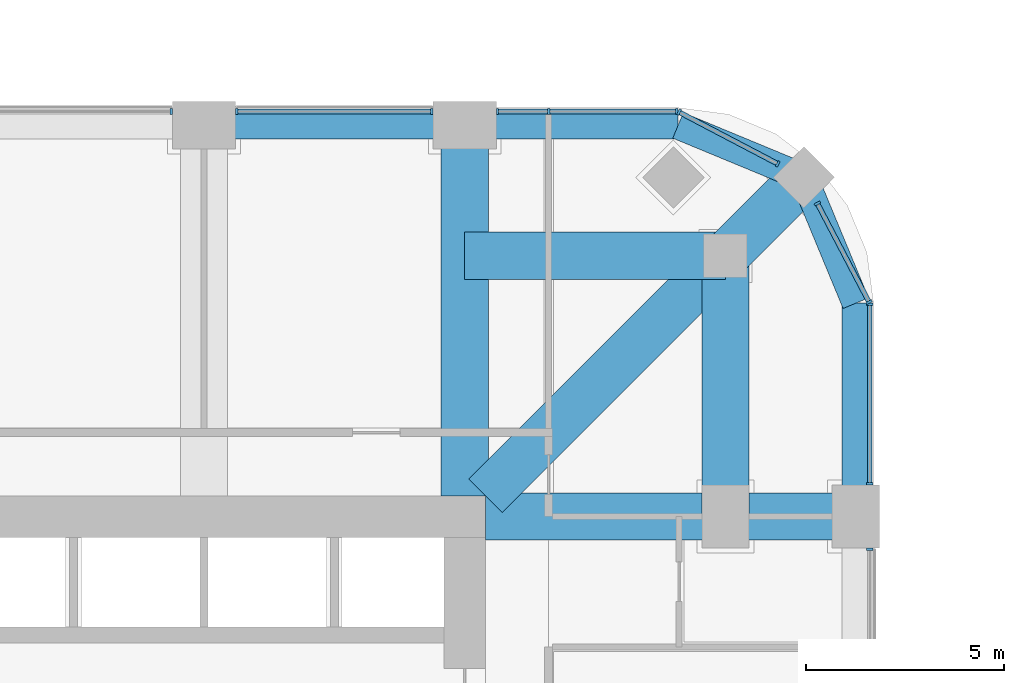
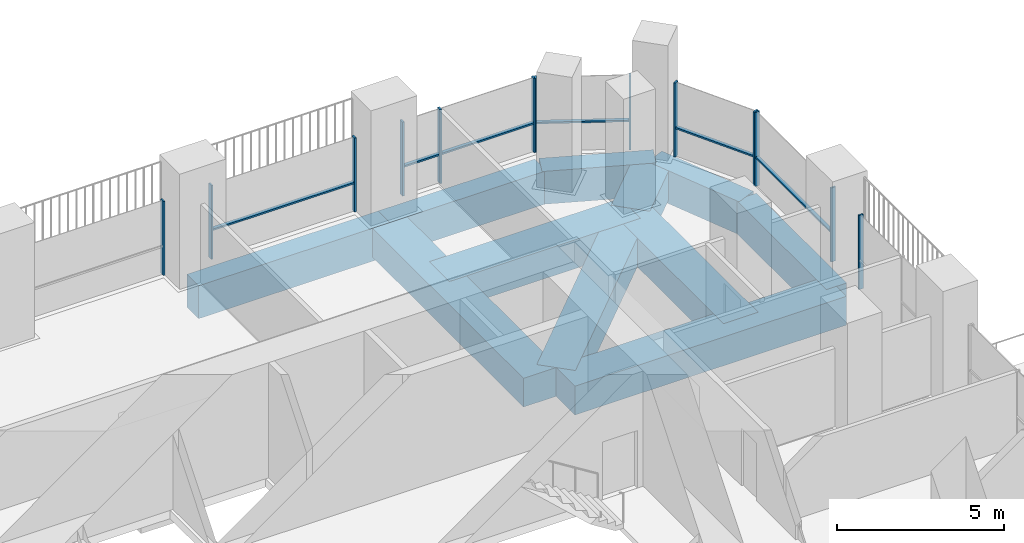
# One storey, part 7 of 20: 19 members, 11 beams, 7 elements without a shape of their own.
"""IFC4 building model written with IfcOpenShell, lengths in metres."""

from ifc_helpers import new_model, si_unit, direction, frame, origin, origin_2d, place, context, subcontext, project, spatial, rectangle, extrude, material, material_profile, profile_set, type_object, element, aggregate, save


model = new_model("IFC4")

# Units and contexts
model_context = context("Model", 3, precision=1e-05, world=origin(), true_north=direction((0.0, 1.0)))
body_context = subcontext(model_context, "Body", "Model", "MODEL_VIEW")
ifc_project = project(units=[si_unit("LENGTHUNIT", "METRE"), si_unit("AREAUNIT", "SQUARE_METRE"), si_unit("VOLUMEUNIT", "CUBIC_METRE"), si_unit("PLANEANGLEUNIT", "RADIAN"), si_unit("MASSUNIT", "GRAM", prefix="KILO")], contexts=[model_context])

# Site, building, storey
site_placement = place(None, origin())
site = spatial("IfcSite", under=ifc_project, at=site_placement, CompositionType="ELEMENT")
building_placement = place(site_placement, origin())
building = spatial("IfcBuilding", under=site, at=building_placement, Name="Cobogo Forest Laboratory Tower", CompositionType="ELEMENT")
storey_placement = place(building_placement, frame((0.0, 0.0, 193.5)))
storey = spatial("IfcBuildingStorey", under=building, at=storey_placement, Name="L44", CompositionType="ELEMENT", Elevation=193.5)

# Beams
ifc_material_1 = material(Name="Concrete HA-40 (C40/50)", Category="concrete")
ifc_material_profile_1 = material_profile(ifc_material_1, rectangle(XDim=1.199951171875, YDim=1.050048828125, at=origin_2d()), Name="RC 1200x1050")
ifc_profile_set_1 = profile_set([ifc_material_profile_1], Name="Concrete HA-40 (C40/50)")
beam_type_1 = type_object("IfcBeamType", Name="Laboratory floor wide beam 1200x1050", PredefinedType="BEAM", material=ifc_profile_set_1)
for number, where, z_axis, x_axis, name in (
    (1, (39.60009765625, 33.52490234375, -0.824951171875), (0.0, 1.0, 0.0), (-1.0, 0.0, 0.0), "RB1 R-7-N L44"),
    (2, (40.125, 33.0, -0.824951171875), (1.0, 0.0, 0.0), (0.0, 1.0, 0.0), "RB1 R-F-E L44"),
):
    element("IfcBeam", number, at=place(storey_placement, frame(where, z_axis=z_axis, x_axis=x_axis)), inside=storey, type_object=beam_type_1, Name=name, PredefinedType="BEAM", context=body_context, shape_type="SweptSolid", body=[
        extrude(rectangle(XDim=1.199951171875, YDim=1.050048828125, at=origin_2d()), origin(), (0.0, 0.0, 1.0), 9.375),
    ])
beam_1_placement = place(storey_placement, frame((46.199951171875, 39.60009765625, -0.824951171875), z_axis=(0.0, -1.0, 0.0), x_axis=(1.0, 0.0, 0.0)))
element("IfcBeam", 3, at=beam_1_placement, inside=storey, type_object=beam_type_1, Name="RB1 G-NE-XC L44", PredefinedType="BEAM", context=body_context, shape_type="SweptSolid", body=[
    extrude(rectangle(XDim=1.199951171875, YDim=1.050048828125, at=origin_2d()), origin(), (0.0, 0.0, 1.0), 6.60009765625),
])
beam_2_placement = place(storey_placement, frame((46.199951171875, 39.60009765625, -0.824951171875), z_axis=(-1.0, 0.0, 0.0), x_axis=(0.0, -1.0, 0.0)))
element("IfcBeam", 4, at=beam_2_placement, inside=storey, type_object=beam_type_1, Name="RB1 G-NE-YC L44", PredefinedType="BEAM", context=body_context, shape_type="SweptSolid", body=[
    extrude(rectangle(XDim=1.199951171875, YDim=1.050048828125, at=origin_2d()), origin(), (0.0, 0.0, 1.0), 6.599853515625),
])
beam_3_placement = place(storey_placement, frame((48.181884765625, 41.58203125, -0.824951171875), z_axis=(-0.707106781187, -0.707106781187, 0.0), x_axis=(0.707106781187, -0.707106781187, 0.0)))
element("IfcBeam", 5, at=beam_3_placement, inside=storey, type_object=beam_type_1, Name="RB1 G-NE-D1 L44", PredefinedType="BEAM", context=body_context, shape_type="SweptSolid", body=[
    extrude(rectangle(XDim=1.199951171875, YDim=1.050048828125, at=origin_2d()), origin(), (0.0, 0.0, 1.0), 2.802978515625),
])
beam_4_placement = place(storey_placement, frame((46.199951171875, 39.60009765625, -0.824951171875), z_axis=(-0.707092572697, -0.70712098939, 0.0), x_axis=(0.70712098939, -0.707092572697, 0.0)))
element("IfcBeam", 6, at=beam_4_placement, inside=storey, type_object=beam_type_1, Name="RB1 G-NE-D2 L44", PredefinedType="BEAM", context=body_context, shape_type="SweptSolid", body=[
    extrude(rectangle(XDim=1.199951171875, YDim=1.050048828125, at=origin_2d()), origin(), (0.0, 0.0, 1.0), 8.591552734375),
])

# Curtain wall, member
ifc_material_2 = material(Name="Aluminium curtain wall", Category="aluminium")
curtain_wall_type = type_object("IfcCurtainWallType", Name="CW-2 unitised curtain wall, solar control glazing, laboratory floors zones C and D", PredefinedType="USERDEFINED", material=ifc_material_2)
curtain_wall_1_placement = place(storey_placement, origin())
curtain_wall_1 = element("IfcCurtainWall", 7, at=curtain_wall_1_placement, inside=storey, type_object=curtain_wall_type, Name="Curtain wall 12 L44", ObjectType="UNITISED CURTAIN WALL", PredefinedType="USERDEFINED")
ifc_material_3 = material(Name="Aluminium mullion", Category="aluminium")
ifc_material_profile_2 = material_profile(ifc_material_3, rectangle(XDim=0.06005859375, YDim=0.159912109375, at=origin_2d()), Name="AL 60x160")
ifc_profile_set_2 = profile_set([ifc_material_profile_2], Name="Aluminium mullion")
member_type_1 = type_object("IfcMemberType", Name="MU-1 aluminium mullion 60x160", PredefinedType="MULLION", material=ifc_profile_set_2)
member_1_placement = place(storey_placement, frame((49.85009765625, 32.169921875, 0.0), z_axis=(0.0, 0.0, 1.0), x_axis=(0.0, 1.0, 0.0)))
member_1 = element("IfcMember", 8, at=member_1_placement, type_object=member_type_1, Name="CW-2 mullion 3", PredefinedType="MULLION", context=body_context, shape_type="SweptSolid", body=[
    extrude(rectangle(XDim=0.06005859375, YDim=0.159912109375, at=origin_2d()), origin(), (0.0, 0.0, 1.0), 2.699951171875),
])
aggregate(curtain_wall_1, [member_1])

# Curtain wall, members
curtain_wall_2_placement = place(storey_placement, origin())
curtain_wall_2 = element("IfcCurtainWall", 9, at=curtain_wall_2_placement, inside=storey, type_object=curtain_wall_type, Name="Curtain wall 13 L44", ObjectType="UNITISED CURTAIN WALL", PredefinedType="USERDEFINED")
member_2_placement = place(storey_placement, frame((49.85009765625, 33.830078125, 0.0), z_axis=(0.0, 0.0, 1.0), x_axis=(0.0, 1.0, 0.0)))
member_2 = element("IfcMember", 10, at=member_2_placement, type_object=member_type_1, Name="CW-2 mullion 1", PredefinedType="MULLION", context=body_context, shape_type="SweptSolid", body=[
    extrude(rectangle(XDim=0.06005859375, YDim=0.159912109375, at=origin_2d()), origin(), (0.0, 0.0, 1.0), 2.699951171875),
])
member_3_placement = place(storey_placement, frame((49.85009765625, 38.3701171875, 0.0), z_axis=(0.0, 0.0, 1.0), x_axis=(0.0, 1.0, 0.0)))
member_3 = element("IfcMember", 11, at=member_3_placement, type_object=member_type_1, Name="CW-2 mullion 2", PredefinedType="MULLION", context=body_context, shape_type="SweptSolid", body=[
    extrude(rectangle(XDim=0.06005859375, YDim=0.159912109375, at=origin_2d()), origin(), (0.0, 0.0, 1.0), 2.699951171875),
])

curtain_wall_3_placement = place(storey_placement, origin())
curtain_wall_3 = element("IfcCurtainWall", 12, at=curtain_wall_3_placement, inside=storey, type_object=curtain_wall_type, Name="Curtain wall 14 L44", ObjectType="UNITISED CURTAIN WALL", PredefinedType="USERDEFINED")
member_4_placement = place(storey_placement, frame((49.836181640625, 38.426513671875, 0.0), z_axis=(0.0, 0.0, 1.0), x_axis=(-0.464283804832, 0.885686484356, 0.0)))
member_4 = element("IfcMember", 13, at=member_4_placement, type_object=member_type_1, Name="CW-2 mullion 1", PredefinedType="MULLION", context=body_context, shape_type="SweptSolid", body=[
    extrude(rectangle(XDim=0.06005859375, YDim=0.159912109375, at=origin_2d()), origin(), (0.0, 0.0, 1.0), 2.699951171875),
])
member_5_placement = place(storey_placement, frame((48.526611328125, 40.924560546875, 0.0), z_axis=(0.0, 0.0, 1.0), x_axis=(-0.464283804832, 0.885686484356, 0.0)))
member_5 = element("IfcMember", 14, at=member_5_placement, type_object=member_type_1, Name="CW-2 mullion 2", PredefinedType="MULLION", context=body_context, shape_type="SweptSolid", body=[
    extrude(rectangle(XDim=0.06005859375, YDim=0.159912109375, at=origin_2d()), origin(), (0.0, 0.0, 1.0), 2.699951171875),
])

curtain_wall_4_placement = place(storey_placement, origin())
curtain_wall_4 = element("IfcCurtainWall", 15, at=curtain_wall_4_placement, inside=storey, type_object=curtain_wall_type, Name="Curtain wall 15 L44", ObjectType="UNITISED CURTAIN WALL", PredefinedType="USERDEFINED")
member_6_placement = place(storey_placement, frame((47.5244140625, 41.9267578125, 0.0), z_axis=(0.0, 0.0, 1.0), x_axis=(-0.885686484356, 0.464283804832, 0.0)))
member_6 = element("IfcMember", 16, at=member_6_placement, type_object=member_type_1, Name="CW-2 mullion 1", PredefinedType="MULLION", context=body_context, shape_type="SweptSolid", body=[
    extrude(rectangle(XDim=0.06005859375, YDim=0.159912109375, at=origin_2d()), origin(), (0.0, 0.0, 1.0), 2.699951171875),
])
member_7_placement = place(storey_placement, frame((45.026611328125, 43.236083984375, 0.0), z_axis=(0.0, 0.0, 1.0), x_axis=(-0.885686484356, 0.464283804832, 0.0)))
member_7 = element("IfcMember", 17, at=member_7_placement, type_object=member_type_1, Name="CW-2 mullion 2", PredefinedType="MULLION", context=body_context, shape_type="SweptSolid", body=[
    extrude(rectangle(XDim=0.06005859375, YDim=0.159912109375, at=origin_2d()), origin(), (0.0, 0.0, 1.0), 2.699951171875),
])

curtain_wall_5_placement = place(storey_placement, origin())
curtain_wall_5 = element("IfcCurtainWall", 18, at=curtain_wall_5_placement, inside=storey, type_object=curtain_wall_type, Name="Curtain wall 16 L44", ObjectType="UNITISED CURTAIN WALL", PredefinedType="USERDEFINED")
member_8_placement = place(storey_placement, frame((44.969970703125, 43.25, 0.0), z_axis=(0.0, 0.0, 1.0), x_axis=(-1.0, 0.0, 0.0)))
member_8 = element("IfcMember", 19, at=member_8_placement, type_object=member_type_1, Name="CW-2 mullion 1", PredefinedType="MULLION", context=body_context, shape_type="SweptSolid", body=[
    extrude(rectangle(XDim=0.06005859375, YDim=0.159912109375, at=origin_2d()), origin(), (0.0, 0.0, 1.0), 2.699951171875),
])
member_9_placement = place(storey_placement, frame((41.72509765625, 43.25, 0.0), z_axis=(0.0, 0.0, 1.0), x_axis=(-1.0, 0.0, 0.0)))
member_9 = element("IfcMember", 20, at=member_9_placement, type_object=member_type_1, Name="CW-2 mullion 2", PredefinedType="MULLION", context=body_context, shape_type="SweptSolid", body=[
    extrude(rectangle(XDim=0.06005859375, YDim=0.159912109375, at=origin_2d()), origin(), (0.0, 0.0, 1.0), 2.699951171875),
])
member_10_placement = place(storey_placement, frame((40.429931640625, 43.25, 0.0), z_axis=(0.0, 0.0, 1.0), x_axis=(-1.0, 0.0, 0.0)))
member_10 = element("IfcMember", 21, at=member_10_placement, type_object=member_type_1, Name="CW-2 mullion 3", PredefinedType="MULLION", context=body_context, shape_type="SweptSolid", body=[
    extrude(rectangle(XDim=0.06005859375, YDim=0.159912109375, at=origin_2d()), origin(), (0.0, 0.0, 1.0), 2.699951171875),
])

curtain_wall_6_placement = place(storey_placement, origin())
curtain_wall_6 = element("IfcCurtainWall", 22, at=curtain_wall_6_placement, inside=storey, type_object=curtain_wall_type, Name="Curtain wall 17 L44", ObjectType="UNITISED CURTAIN WALL", PredefinedType="USERDEFINED")
member_11_placement = place(storey_placement, frame((38.77001953125, 43.25, 0.0), z_axis=(0.0, 0.0, 1.0), x_axis=(-1.0, 0.0, 0.0)))
member_11 = element("IfcMember", 23, at=member_11_placement, type_object=member_type_1, Name="CW-2 mullion 1", PredefinedType="MULLION", context=body_context, shape_type="SweptSolid", body=[
    extrude(rectangle(XDim=0.06005859375, YDim=0.159912109375, at=origin_2d()), origin(), (0.0, 0.0, 1.0), 2.699951171875),
])
member_12_placement = place(storey_placement, frame((33.830078125, 43.25, 0.0), z_axis=(0.0, 0.0, 1.0), x_axis=(-1.0, 0.0, 0.0)))
member_12 = element("IfcMember", 24, at=member_12_placement, type_object=member_type_1, Name="CW-2 mullion 2", PredefinedType="MULLION", context=body_context, shape_type="SweptSolid", body=[
    extrude(rectangle(XDim=0.06005859375, YDim=0.159912109375, at=origin_2d()), origin(), (0.0, 0.0, 1.0), 2.699951171875),
])

# Curtain wall, member
curtain_wall_7_placement = place(storey_placement, origin())
curtain_wall_7 = element("IfcCurtainWall", 25, at=curtain_wall_7_placement, inside=storey, type_object=curtain_wall_type, Name="Curtain wall 18 L44", ObjectType="UNITISED CURTAIN WALL", PredefinedType="USERDEFINED")
member_13_placement = place(storey_placement, frame((32.169921875, 43.25, 0.0), z_axis=(0.0, 0.0, 1.0), x_axis=(-1.0, 0.0, 0.0)))
member_13 = element("IfcMember", 26, at=member_13_placement, type_object=member_type_1, Name="CW-2 mullion 1", PredefinedType="MULLION", context=body_context, shape_type="SweptSolid", body=[
    extrude(rectangle(XDim=0.06005859375, YDim=0.159912109375, at=origin_2d()), origin(), (0.0, 0.0, 1.0), 2.699951171875),
])
aggregate(curtain_wall_7, [member_13])

# Beams
ifc_material_profile_3 = material_profile(ifc_material_1, rectangle(XDim=0.699951171875, YDim=1.199951171875, at=origin_2d()), Name="RC 700x1200")
ifc_profile_set_3 = profile_set([ifc_material_profile_3], Name="Concrete HA-40 (C40/50)")
beam_type_2 = type_object("IfcBeamType", Name="Perimeter edge beam 700x1200", PredefinedType="BEAM", material=ifc_profile_set_3)
beam_5_placement = place(storey_placement, frame((33.0, 42.89990234375, -0.89990234375), z_axis=(1.0, 0.0, 0.0), x_axis=(0.0, 1.0, 0.0)))
element("IfcBeam", 27, at=beam_5_placement, inside=storey, type_object=beam_type_2, Name="EB1 E-N4 L44", PredefinedType="BEAM", context=body_context, shape_type="SweptSolid", body=[
    extrude(rectangle(XDim=0.699951171875, YDim=1.199951171875, at=origin_2d()), origin(), (0.0, 0.0, 1.0), 6.60009765625),
])
beam_6_placement = place(storey_placement, frame((49.5, 33.0, -0.89990234375), z_axis=(0.0, 1.0, 0.0), x_axis=(-1.0, 0.0, 0.0)))
element("IfcBeam", 28, at=beam_6_placement, inside=storey, type_object=beam_type_2, Name="EB1 E-NEE1 L44", PredefinedType="BEAM", context=body_context, shape_type="SweptSolid", body=[
    extrude(rectangle(XDim=0.699951171875, YDim=1.199951171875, at=origin_2d()), origin(), (0.0, 0.0, 1.0), 5.39990234375),
])
beam_7_placement = place(storey_placement, frame((49.5, 38.39990234375, -0.89990234375), z_axis=(-0.382691928466, 0.923876013265, 0.0), x_axis=(-0.923876013265, -0.382691928466, 0.0)))
element("IfcBeam", 29, at=beam_7_placement, inside=storey, type_object=beam_type_2, Name="EB1 E-NEE2 L44", PredefinedType="BEAM", context=body_context, shape_type="SweptSolid", body=[
    extrude(rectangle(XDim=0.699951171875, YDim=1.199951171875, at=origin_2d()), origin(), (0.0, 0.0, 1.0), 3.4443359375),
])
beam_8_placement = place(storey_placement, frame((39.60009765625, 42.89990234375, -0.89990234375), z_axis=(1.0, 0.0, 0.0), x_axis=(0.0, 1.0, 0.0)))
element("IfcBeam", 30, at=beam_8_placement, inside=storey, type_object=beam_type_2, Name="EB1 E-NEN1 L44", PredefinedType="BEAM", context=body_context, shape_type="SweptSolid", body=[
    extrude(rectangle(XDim=0.699951171875, YDim=1.199951171875, at=origin_2d()), origin(), (0.0, 0.0, 1.0), 5.39990234375),
])
beam_9_placement = place(storey_placement, frame((45.0, 42.89990234375, -0.89990234375), z_axis=(0.923890694089, -0.382656484822, 0.0), x_axis=(0.382656484822, 0.923890694089, 0.0)))
element("IfcBeam", 31, at=beam_9_placement, inside=storey, type_object=beam_type_2, Name="EB1 E-NEN2 L44", PredefinedType="BEAM", context=body_context, shape_type="SweptSolid", body=[
    extrude(rectangle(XDim=0.699951171875, YDim=1.199951171875, at=origin_2d()), origin(), (0.0, 0.0, 1.0), 3.444091796875),
])

# Member
ifc_material_4 = material(Name="Aluminium transom", Category="aluminium")
ifc_material_profile_4 = material_profile(ifc_material_4, rectangle(XDim=0.1201171875, YDim=0.06005859375, at=origin_2d()), Name="AL 60x120")
ifc_profile_set_4 = profile_set([ifc_material_profile_4], Name="Aluminium transom")
member_type_2 = type_object("IfcMemberType", Name="TR-1 aluminium transom 60x120", PredefinedType="USERDEFINED", material=ifc_profile_set_4)
member_14_placement = place(storey_placement, frame((49.85009765625, 33.860107421875, 1.050048828125), z_axis=(0.0, 1.0, 0.0), x_axis=(-1.0, 0.0, 0.0)))
member_14 = element("IfcMember", 32, at=member_14_placement, type_object=member_type_2, Name="CW-2 transom 1.1", ObjectType="TRANSOM", PredefinedType="USERDEFINED", context=body_context, shape_type="SweptSolid", body=[
    extrude(rectangle(XDim=0.1201171875, YDim=0.06005859375, at=origin_2d()), origin(), (0.0, 0.0, 1.0), 4.47998046875),
])

aggregate(curtain_wall_2, [member_2, member_3, member_14])

member_15_placement = place(storey_placement, frame((49.822021484375, 38.453125, 1.050048828125), z_axis=(-0.464254846591, 0.88570166389, 0.0), x_axis=(-0.88570166389, -0.464254846591, 0.0)))
member_15 = element("IfcMember", 33, at=member_15_placement, type_object=member_type_2, Name="CW-2 transom 1.1", ObjectType="TRANSOM", PredefinedType="USERDEFINED", context=body_context, shape_type="SweptSolid", body=[
    extrude(rectangle(XDim=0.1201171875, YDim=0.06005859375, at=origin_2d()), origin(), (0.0, 0.0, 1.0), 2.76025390625),
])

aggregate(curtain_wall_3, [member_4, member_5, member_15])

member_16_placement = place(storey_placement, frame((47.497802734375, 41.940673828125, 1.050048828125), z_axis=(-0.885682598583, 0.464291217414, 0.0), x_axis=(-0.464291217414, -0.885682598583, 0.0)))
member_16 = element("IfcMember", 34, at=member_16_placement, type_object=member_type_2, Name="CW-2 transom 1.1", ObjectType="TRANSOM", PredefinedType="USERDEFINED", context=body_context, shape_type="SweptSolid", body=[
    extrude(rectangle(XDim=0.1201171875, YDim=0.06005859375, at=origin_2d()), origin(), (0.0, 0.0, 1.0), 2.760009765625),
])

aggregate(curtain_wall_4, [member_6, member_7, member_16])

member_17_placement = place(storey_placement, frame((44.93994140625, 43.25, 1.050048828125), z_axis=(-1.0, 0.0, 0.0), x_axis=(0.0, -1.0, 0.0)))
member_17 = element("IfcMember", 35, at=member_17_placement, type_object=member_type_2, Name="CW-2 transom 1.1", ObjectType="TRANSOM", PredefinedType="USERDEFINED", context=body_context, shape_type="SweptSolid", body=[
    extrude(rectangle(XDim=0.1201171875, YDim=0.06005859375, at=origin_2d()), origin(), (0.0, 0.0, 1.0), 3.18505859375),
])

member_18_placement = place(storey_placement, frame((41.695068359375, 43.25, 1.050048828125), z_axis=(-1.0, 0.0, 0.0), x_axis=(0.0, -1.0, 0.0)))
member_18 = element("IfcMember", 36, at=member_18_placement, type_object=member_type_2, Name="CW-2 transom 2.1", ObjectType="TRANSOM", PredefinedType="USERDEFINED", context=body_context, shape_type="SweptSolid", body=[
    extrude(rectangle(XDim=0.1201171875, YDim=0.06005859375, at=origin_2d()), origin(), (0.0, 0.0, 1.0), 1.235107421875),
])

aggregate(curtain_wall_5, [member_8, member_9, member_10, member_17, member_18])

member_19_placement = place(storey_placement, frame((38.739990234375, 43.25, 1.050048828125), z_axis=(-1.0, 0.0, 0.0), x_axis=(0.0, -1.0, 0.0)))
member_19 = element("IfcMember", 37, at=member_19_placement, type_object=member_type_2, Name="CW-2 transom 1.1", ObjectType="TRANSOM", PredefinedType="USERDEFINED", context=body_context, shape_type="SweptSolid", body=[
    extrude(rectangle(XDim=0.1201171875, YDim=0.06005859375, at=origin_2d()), origin(), (0.0, 0.0, 1.0), 4.8798828125),
])

aggregate(curtain_wall_6, [member_11, member_12, member_19])

save(model, "model.ifc")
